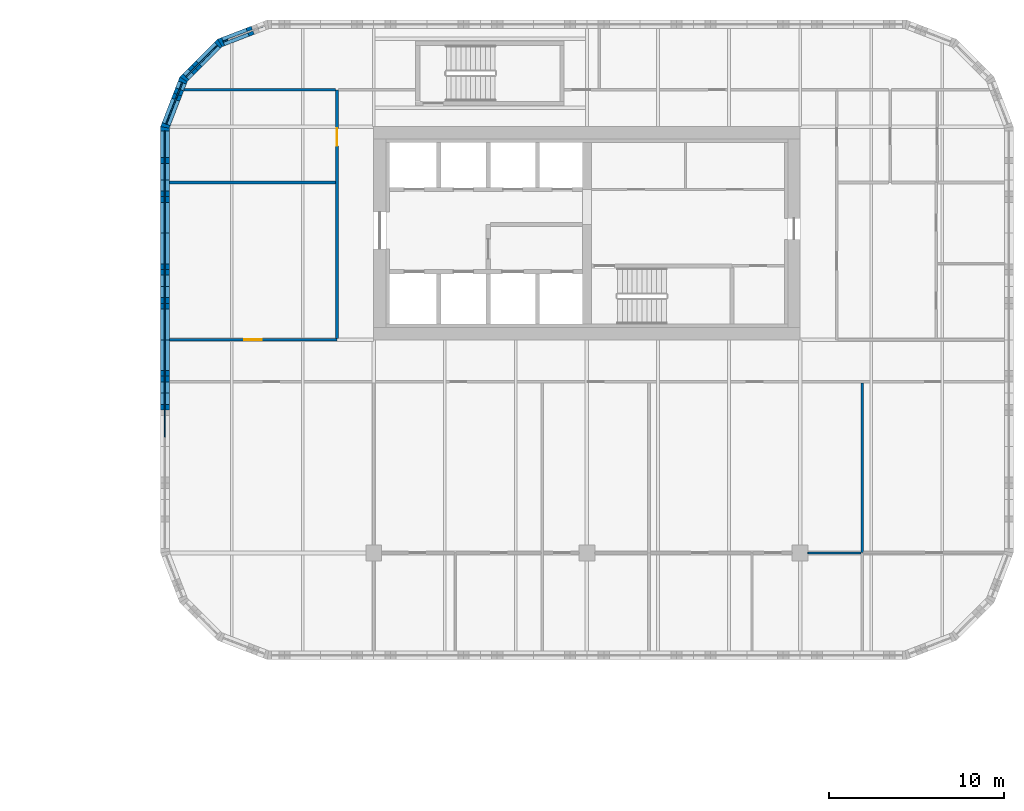
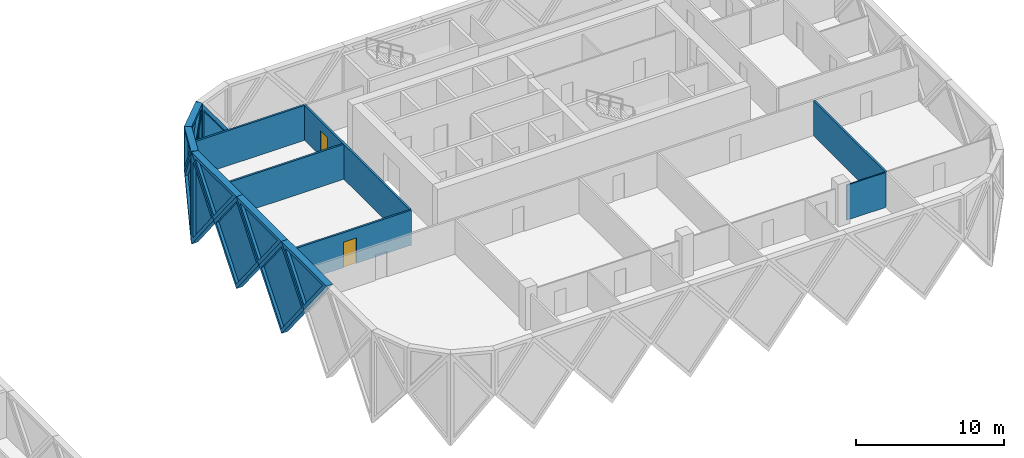
# One storey, part 16 of 24: 17 walls, 11 plates, 2 doors, 13 openings.
"""IFC4 building model written with IfcOpenShell, lengths in metres."""

import ifcopenshell
import ifcopenshell.guid

model = None  # the IFC model being written
_history = None  # IfcOwnerHistory: only IFC2X3 demands one
_inside = {}  # id of a spatial element -> (the spatial element, [elements in it])
_under = {}  # id of a project, library or spatial element -> (it, [spatial elements below it])
_declared = {}  # id of a project -> (the project, [libraries it declares])
_typed = {}  # id of a type object -> (the type object, [elements of that type])
_made_of = {}  # id of a material, layer set ... -> (it, [elements and type objects made of it])


def new_model(schema):
    """Start an empty IFC model of exactly this schema.

    Asked for "IFC4X3", IfcOpenShell would pick the latest addendum, in which some entities
    have other attributes; the version numbers below select the first issue.
    IFC2X3 requires an IfcOwnerHistory on every rooted entity: one is made here for all.
    """
    global model, _history
    if schema == "IFC4X3":
        model = ifcopenshell.file(schema_version=(4, 3, 0, 0))
    else:
        model = ifcopenshell.file(schema=schema)
    _inside.clear()
    _under.clear()
    _declared.clear()
    _typed.clear()
    _made_of.clear()
    _history = None
    if model.schema == "IFC2X3":
        org = make("IfcOrganization", Name="unknown")
        user = make(
            "IfcPersonAndOrganization",
            ThePerson=make("IfcPerson", FamilyName="unknown"),
            TheOrganization=org,
        )
        app = make(
            "IfcApplication",
            ApplicationDeveloper=org,
            Version="unknown",
            ApplicationFullName="unknown",
            ApplicationIdentifier="unknown",
        )
        _history = make(
            "IfcOwnerHistory",
            OwningUser=user,
            OwningApplication=app,
            ChangeAction="ADDED",
            CreationDate=0,
        )
    return model


def make(cls, **values):
    """One entity of the class cls with the attributes given. An attribute that is None is left unset."""
    return model.create_entity(
        cls, **{name: value for name, value in values.items() if value is not None}
    )


def rooted(cls, **values):
    """An entity with a GlobalId (a new one), such as an element, a storey or a relation."""
    return make(cls, GlobalId=ifcopenshell.guid.new(), OwnerHistory=_history, **values)


def si_unit(unit_type, name, prefix=None):
    """IfcSIUnit, for example si_unit("LENGTHUNIT", "METRE", prefix="MILLI")."""
    return make("IfcSIUnit", UnitType=unit_type, Prefix=prefix, Name=name)


def assignment(units):
    """IfcUnitAssignment: the units of a project."""
    return None if units is None else make("IfcUnitAssignment", Units=units)


def point(xyz):
    """IfcCartesianPoint."""
    return None if xyz is None else make("IfcCartesianPoint", Coordinates=xyz)


def direction(xyz):
    """IfcDirection."""
    return None if xyz is None else make("IfcDirection", DirectionRatios=xyz)


def frame(location, z_axis=None, x_axis=None):
    """IfcAxis2Placement3D, a coordinate frame: its origin and axes. An axis left out is left unset."""
    return make(
        "IfcAxis2Placement3D",
        Location=point(location),
        Axis=direction(z_axis),
        RefDirection=direction(x_axis),
    )


def frame_2d(location, x_axis=None):
    """IfcAxis2Placement2D, a coordinate frame in the plane: its origin and x axis."""
    return make(
        "IfcAxis2Placement2D", Location=point(location), RefDirection=direction(x_axis)
    )


def origin():
    """The frame at (0, 0, 0) with its axes left unset."""
    return frame((0.0, 0.0, 0.0))


def place(relative_to, where):
    """IfcLocalPlacement: puts the frame where relative to a parent placement (None: the world)."""
    return make(
        "IfcLocalPlacement", PlacementRelTo=relative_to, RelativePlacement=where
    )


def context(
    kind, dimensions, precision=None, world=None, true_north=None, identifier=None
):
    """IfcGeometricRepresentationContext, for example the 3D "Model" context."""
    return make(
        "IfcGeometricRepresentationContext",
        ContextIdentifier=identifier,
        ContextType=kind,
        CoordinateSpaceDimension=dimensions,
        Precision=precision,
        WorldCoordinateSystem=world,
        TrueNorth=true_north,
    )


def subcontext(parent, identifier, kind, view, scale=None):
    """IfcGeometricRepresentationSubContext, for example "Body" below "Model"."""
    return make(
        "IfcGeometricRepresentationSubContext",
        ContextIdentifier=identifier,
        ContextType=kind,
        ParentContext=parent,
        TargetScale=scale,
        TargetView=view,
    )


def project(units=None, contexts=None):
    """IfcProject with its units and contexts."""
    return rooted(
        "IfcProject",
        Name="project",
        RepresentationContexts=contexts,
        UnitsInContext=assignment(units),
    )


def spatial(cls, under=None, at=None, **own):
    """A site, building, storey or space (cls), placed at a placement, below another one or the project."""
    s = rooted(cls, ObjectPlacement=at, **own)
    if under is not None:
        _under.setdefault(under.id(), (under, []))[1].append(s)
    return s


def polyline(points):
    """IfcPolyline through the points."""
    return make("IfcPolyline", Points=[point(p) for p in points])


def profile(cls, at=None, kind="AREA", **sizes):
    """A parametric profile (cls). Its sizes go by their IFC names, for example OverallWidth=200.0."""
    return make(cls, ProfileType=kind, Position=at, **sizes)


def rectangle(**sizes):
    """IfcRectangleProfileDef."""
    return profile("IfcRectangleProfileDef", **sizes)


def outline(outer, holes=None, kind="AREA"):
    """IfcArbitraryClosedProfileDef: a profile drawn as a closed curve; with holes, ...WithVoids."""
    if holes is None:
        return make("IfcArbitraryClosedProfileDef", ProfileType=kind, OuterCurve=outer)
    return make(
        "IfcArbitraryProfileDefWithVoids",
        ProfileType=kind,
        OuterCurve=outer,
        InnerCurves=holes,
    )


def extrude(swept, where, along, depth):
    """IfcExtrudedAreaSolid: the profile swept, set in the frame where, extruded along a direction by depth."""
    return make(
        "IfcExtrudedAreaSolid",
        SweptArea=swept,
        Position=where,
        ExtrudedDirection=direction(along),
        Depth=depth,
    )


def faces_of(points, faces, orient=None, outer=None):
    """IfcFace entities. A face is a list of loops; a loop is a list of indices into points, from 0.

    orient and outer hold one flag for each loop. By default every Orientation is true, the
    first loop of a face is its IfcFaceOuterBound and the others are IfcFaceBound.
    """
    made = []
    for i, loops in enumerate(faces):
        bounds = []
        for j, loop in enumerate(loops):
            is_outer = j == 0 if outer is None else outer[i][j]
            bounds.append(
                make(
                    "IfcFaceOuterBound" if is_outer else "IfcFaceBound",
                    Bound=make("IfcPolyLoop", Polygon=[points[k] for k in loop]),
                    Orientation=True if orient is None else orient[i][j],
                )
            )
        made.append(make("IfcFace", Bounds=bounds))
    return made


def faceted_brep(points, faces, orient=None, outer=None, voids=None):
    """IfcFacetedBrep: a solid bounded by flat faces; with voids (closed shells), ...WithVoids."""
    shared = [point(p) for p in points]
    hull = make("IfcClosedShell", CfsFaces=faces_of(shared, faces, orient, outer))
    if voids is None:
        return make("IfcFacetedBrep", Outer=hull)
    return make(
        "IfcFacetedBrepWithVoids",
        Outer=hull,
        Voids=[
            make(cls, CfsFaces=faces_of(shared, fs, o, b)) for cls, fs, o, b in voids
        ],
    )


def shape(context_of_items, identifier, shape_type, items):
    """IfcShapeRepresentation: the items that make up one representation, for example the "Body"."""
    return make(
        "IfcShapeRepresentation",
        ContextOfItems=context_of_items,
        RepresentationIdentifier=identifier,
        RepresentationType=shape_type,
        Items=items,
    )


def source(mapping_origin, context_of_items, identifier, shape_type, items):
    """IfcRepresentationMap: a shape defined once, which mapped items show again and again."""
    return make(
        "IfcRepresentationMap",
        MappingOrigin=mapping_origin,
        MappedRepresentation=shape(context_of_items, identifier, shape_type, items),
    )


def transform(
    local_origin,
    x_axis=None,
    y_axis=None,
    z_axis=None,
    scale=None,
    scale2=None,
    scale3=None,
    uniform=True,
):
    """IfcCartesianTransformationOperator3D, or its non-uniform kind. x_axis, y_axis, z_axis: its Axis1, 2, 3."""
    if uniform:
        return make(
            "IfcCartesianTransformationOperator3D",
            Axis1=direction(x_axis),
            Axis2=direction(y_axis),
            LocalOrigin=point(local_origin),
            Scale=scale,
            Axis3=direction(z_axis),
        )
    return make(
        "IfcCartesianTransformationOperator3DnonUniform",
        Axis1=direction(x_axis),
        Axis2=direction(y_axis),
        LocalOrigin=point(local_origin),
        Scale=scale,
        Axis3=direction(z_axis),
        Scale2=scale2,
        Scale3=scale3,
    )


def mapped(mapping_source, mapping_target):
    """IfcMappedItem: shows the shape of a source again, moved by a transform."""
    return make(
        "IfcMappedItem", MappingSource=mapping_source, MappingTarget=mapping_target
    )


def material(Name=None, Category=None):
    """IfcMaterial."""
    return make("IfcMaterial", Name=Name, Category=Category)


def layer(
    of_material, thickness, ventilated=None, Name=None, Category=None, Priority=None
):
    """IfcMaterialLayer: one layer of a wall or slab, of a material (None: an air gap)."""
    return make(
        "IfcMaterialLayer",
        Material=of_material,
        LayerThickness=thickness,
        IsVentilated=ventilated,
        Name=Name,
        Category=Category,
        Priority=Priority,
    )


def layer_set(layers, Name=None):
    """IfcMaterialLayerSet."""
    return make("IfcMaterialLayerSet", MaterialLayers=layers, LayerSetName=Name)


def made_of(thing, what):
    """Note that an element or type object is made of a material, layer set ...; save() writes the relation."""
    if what is not None:
        _made_of.setdefault(what.id(), (what, []))[1].append(thing)
    return thing


def type_object(cls, material=None, **own):
    """A type object (cls), such as IfcWallType, which elements share."""
    return made_of(rooted(cls, **own), material)


def element(
    cls,
    number,
    at=None,
    inside=None,
    cuts=None,
    type_object=None,
    material=None,
    context=None,
    identifier="Body",
    shape_type=None,
    held_by="IfcProductDefinitionShape",
    body=None,
    shapes=None,
    **own,
):
    """One element of the class cls, such as IfcWall. Its Tag is "e" and its number.

    at: its placement. inside: the storey or other place that contains it. cuts: it is an
    opening in that element (IfcRelVoidsElement). A single representation is given by context,
    identifier, shape_type and body (its items); several are given by shapes. held_by: the class
    of the entity that holds the representations. save() writes the other relations.
    """
    e = rooted(cls, Tag="e%d" % number, ObjectPlacement=at, **own)
    if body is not None:
        shapes = [shape(context, identifier, shape_type, body)]
    if shapes is not None:
        e.Representation = make(held_by, Representations=shapes)
    if inside is not None:
        _inside.setdefault(inside.id(), (inside, []))[1].append(e)
    if cuts is not None:
        rooted(
            "IfcRelVoidsElement", RelatingBuildingElement=cuts, RelatedOpeningElement=e
        )
    if type_object is not None:
        _typed.setdefault(type_object.id(), (type_object, []))[1].append(e)
    return made_of(e, material)


def fill(opening, filler):
    """IfcRelFillsElement: the door or window that sits in an opening."""
    return rooted(
        "IfcRelFillsElement",
        RelatingOpeningElement=opening,
        RelatedBuildingElement=filler,
    )


def aggregate(whole, parts):
    """IfcRelAggregates: a whole, such as a stair, and the parts it consists of."""
    return rooted("IfcRelAggregates", RelatingObject=whole, RelatedObjects=parts)


def save(model, path):
    """Write the relations noted so far, then the file.

    IfcRelAggregates (storeys below a building ...), IfcRelContainedInSpatialStructure (elements
    in a storey), IfcRelDefinesByType, IfcRelAssociatesMaterial and IfcRelDeclares: one each for
    every whole, place, type object, material and project.
    """
    for whole, parts in _under.values():
        aggregate(whole, parts)
    for where, things in _inside.values():
        rooted(
            "IfcRelContainedInSpatialStructure",
            RelatedElements=things,
            RelatingStructure=where,
        )
    for kind, things in _typed.values():
        rooted("IfcRelDefinesByType", RelatedObjects=things, RelatingType=kind)
    for what, things in _made_of.values():
        rooted("IfcRelAssociatesMaterial", RelatedObjects=things, RelatingMaterial=what)
    for by, libraries in _declared.values():
        rooted("IfcRelDeclares", RelatingContext=by, RelatedDefinitions=libraries)
    model.write(path)


model = new_model("IFC4")

# Units and contexts
model_context = context("Model", 3, precision=1e-05, world=origin(), true_north=direction((0.0, 1.0)))
body_context = subcontext(model_context, "Body", "Model", "MODEL_VIEW")
ifc_project = project(units=[si_unit("LENGTHUNIT", "METRE"), si_unit("AREAUNIT", "SQUARE_METRE"), si_unit("VOLUMEUNIT", "CUBIC_METRE"), si_unit("PLANEANGLEUNIT", "RADIAN"), si_unit("MASSUNIT", "GRAM", prefix="KILO")], contexts=[model_context])

# Site, building, storey
site_placement = place(None, origin())
site = spatial("IfcSite", under=ifc_project, at=site_placement, CompositionType="ELEMENT")
building_placement = place(site_placement, origin())
building = spatial("IfcBuilding", under=site, at=building_placement, Name="Tessera Gate Towers", CompositionType="ELEMENT")
storey_placement = place(building_placement, frame((0.0, 0.0, 60.0)))
storey = spatial("IfcBuildingStorey", under=building, at=storey_placement, Name="L14", CompositionType="ELEMENT", Elevation=60.0)

# Wall, opening, door
ifc_material_1 = material(Name="Gypsum board on steel studs, mineral wool", Category="steel")
ifc_layer_1 = layer(ifc_material_1, 0.14990234375)
ifc_layer_set_1 = layer_set([ifc_layer_1], Name="CORRIDOR WALL 150")
wall_type_1 = type_object("IfcWallType", Name="CORRIDOR WALL 150", PredefinedType="PARTITIONING", material=ifc_layer_set_1)
wall_1_placement = place(storey_placement, frame((85.89990234375, 36.60009765625, 0.0), z_axis=(0.0, 0.0, 1.0), x_axis=(1.0, 0.0, 0.0)))
wall_1 = element("IfcWall", 1, at=wall_1_placement, inside=storey, type_object=wall_type_1, Name="T2-L14-PW-018", PredefinedType="PARTITIONING", context=body_context, shape_type="SweptSolid", body=[
    extrude(rectangle(XDim=9.60009765625, YDim=0.14990234375, at=frame_2d((4.800048828125, 0.0))), origin(), (0.0, 0.0, 1.0), 2.887939453125),
])
shared_shape_1 = source(origin(), body_context, "Body", "SweptSolid", [
    extrude(rectangle(XDim=1.0, YDim=2.10009765625, at=frame_2d((0.5, 1.050048828125))), frame((0.0, 0.0849609375, 0.0), z_axis=(0.0, -1.0, 0.0), x_axis=(1.0, 0.0, 0.0)), (0.0, 0.0, 1.0), 0.169921875),
])
opening_1_placement = place(wall_1_placement, frame((4.300048828125, 0.0, 0.0)))
opening_1 = element("IfcOpeningElement", 2, at=opening_1_placement, cuts=wall_1, Name="Opening D2100FD60-B06-05", PredefinedType="OPENING", context=body_context, shape_type="MappedRepresentation", body=[
    mapped(shared_shape_1, transform((0.0, 0.0, 0.0), scale=1.0)),
])
ifc_material_2 = material(Name="Timber door leaf in steel frame", Category="steel")
door_type = type_object("IfcDoorType", Name="TENANCY ENTRANCE DOOR 1000 FD60", OperationType="NOTDEFINED", PredefinedType="DOOR", material=ifc_material_2)
shared_shape_2 = source(origin(), body_context, "Body", "SweptSolid", [
    extrude(rectangle(XDim=1.0, YDim=2.10009765625, at=frame_2d((0.5, 1.050048828125))), frame((0.0, 0.02490234375, 0.0), z_axis=(0.0, -1.0, 0.0), x_axis=(1.0, 0.0, 0.0)), (0.0, 0.0, 1.0), 0.050048828125),
])
door_1_placement = place(opening_1_placement, origin())
door_1 = element("IfcDoor", 3, at=door_1_placement, inside=storey, type_object=door_type, Name="T2-L14-PD-021", OperationType="SINGLE_SWING_LEFT", OverallHeight=2.10009765625, OverallWidth=1.0, PredefinedType="DOOR", context=body_context, shape_type="MappedRepresentation", body=[
    mapped(shared_shape_2, transform((0.0, 0.0, 0.0), scale=1.0)),
])
fill(opening_1, door_1)

wall_2_placement = place(storey_placement, frame((95.5, 36.676025390625, 0.0), z_axis=(0.0, 0.0, 1.0), x_axis=(0.0, 1.0, 0.0)))
wall_2 = element("IfcWall", 4, at=wall_2_placement, inside=storey, type_object=wall_type_1, Name="T2-L14-PW-021", PredefinedType="PARTITIONING", context=body_context, shape_type="SweptSolid", body=[
    extrude(rectangle(XDim=14.223876953125, YDim=0.14990234375, at=frame_2d((7.11181640625, 0.0))), origin(), (0.0, 0.0, 1.0), 2.887939453125),
])
opening_2_placement = place(wall_2_placement, frame((11.02490234375, 0.0, 0.0)))
opening_2 = element("IfcOpeningElement", 5, at=opening_2_placement, cuts=wall_2, Name="Opening D2100FD60-B06-02", PredefinedType="OPENING", context=body_context, shape_type="MappedRepresentation", body=[
    mapped(shared_shape_1, transform((0.0, 0.0, 0.0), scale=1.0)),
])
door_2_placement = place(opening_2_placement, origin())
door_2 = element("IfcDoor", 6, at=door_2_placement, inside=storey, type_object=door_type, Name="T2-L14-PD-009", OperationType="SINGLE_SWING_LEFT", OverallHeight=2.10009765625, OverallWidth=1.0, PredefinedType="DOOR", context=body_context, shape_type="MappedRepresentation", body=[
    mapped(shared_shape_2, transform((0.0, 0.0, 0.0), scale=1.0)),
])
fill(opening_2, door_2)

# Walls
ifc_material_3 = material(Name="Glass", Category="glass")
ifc_layer_2 = layer(ifc_material_3, 0.10009765625)
ifc_layer_set_2 = layer_set([ifc_layer_2], Name="GLAZED PARTITION 100")
wall_type_2 = type_object("IfcWallType", Name="GLAZED PARTITION 100", PredefinedType="PARTITIONING", material=ifc_layer_set_2)
wall_3_placement = place(storey_placement, frame((122.450927734375, 24.39990234375, 0.0), z_axis=(0.0, 0.0, 1.0), x_axis=(1.0, 0.0, 0.0)))
element("IfcWall", 7, at=wall_3_placement, inside=storey, type_object=wall_type_2, Name="T2-L14-PW-013", PredefinedType="PARTITIONING", context=body_context, shape_type="SweptSolid", body=[
    extrude(rectangle(XDim=3.023193359375, YDim=0.10009765625, at=frame_2d((1.51171875, 0.0))), origin(), (0.0, 0.0, 1.0), 2.887939453125),
])
ifc_material_4 = material(Name="Gypsum board on steel studs, mineral wool", Category="steel")
ifc_layer_3 = layer(ifc_material_4, 0.14990234375)
ifc_layer_set_3 = layer_set([ifc_layer_3], Name="TENANCY WALL 150")
wall_type_3 = type_object("IfcWallType", Name="TENANCY WALL 150", PredefinedType="PARTITIONING", material=ifc_layer_set_3)
wall_4_placement = place(storey_placement, frame((125.550048828125, 24.4150390625, 0.0), z_axis=(0.0, 0.0, 1.0), x_axis=(0.0, 1.0, 0.0)))
element("IfcWall", 8, at=wall_4_placement, inside=storey, type_object=wall_type_3, Name="T2-L14-PW-014", PredefinedType="PARTITIONING", context=body_context, shape_type="SweptSolid", body=[
    extrude(rectangle(XDim=9.708984375, YDim=0.14990234375, at=frame_2d((4.8544921875, 0.0))), origin(), (0.0, 0.0, 1.0), 2.887939453125),
])
wall_5_placement = place(storey_placement, frame((85.89990234375, 45.60009765625, 0.0), z_axis=(0.0, 0.0, 1.0), x_axis=(1.0, 0.0, 0.0)))
element("IfcWall", 9, at=wall_5_placement, inside=storey, type_object=wall_type_3, Name="T2-L14-PW-024", PredefinedType="PARTITIONING", context=body_context, shape_type="SweptSolid", body=[
    extrude(rectangle(XDim=9.524169921875, YDim=0.14990234375, at=frame_2d((4.76220703125, 0.0))), origin(), (0.0, 0.0, 1.0), 2.887939453125),
])
wall_6_placement = place(storey_placement, frame((86.74609375, 50.89990234375, 0.0), z_axis=(0.0, 0.0, 1.0), x_axis=(1.0, 0.0, 0.0)))
element("IfcWall", 10, at=wall_6_placement, inside=storey, type_object=wall_type_3, Name="T2-L14-PW-030", PredefinedType="PARTITIONING", context=body_context, shape_type="SweptSolid", body=[
    extrude(rectangle(XDim=8.677978515625, YDim=0.14990234375, at=frame_2d((4.3388671875, 0.0))), origin(), (0.0, 0.0, 1.0), 2.887939453125),
])

# Wall, opening, plate
ifc_material_5 = material(Name="Precast concrete C60/75 white", Category="concrete")
ifc_layer_4 = layer(ifc_material_5, 0.5)
ifc_layer_set_4 = layer_set([ifc_layer_4], Name="TS1 tessera")
wall_type_4 = type_object("IfcWallType", Name="TS1 tessera", PredefinedType="SOLIDWALL", material=ifc_layer_set_4)
shared_shape_3 = source(origin(), body_context, "Body", "Brep", [
    faceted_brep([(3.050048828125, -0.25, 0.0), (6.099853515625, -0.25, 3.7998046875), (6.099853515625, -0.25, 3.80029296875), (3.050048828125, -0.25, 7.60009765625), (0.0, -0.25, 3.800048828125), (0.0, 0.25, 3.800048828125), (3.050048828125, 0.25, 7.60009765625), (6.099853515625, 0.25, 3.80029296875), (6.099853515625, 0.25, 3.7998046875), (3.050048828125, 0.25, 0.0)], [[[0, 1, 2, 3, 4]], [[5, 6, 7, 8, 9]], [[9, 8, 1, 0]], [[7, 6, 3, 2]], [[6, 5, 4, 3]], [[5, 9, 0, 4]], [[1, 8, 7, 2]]]),
])
wall_7_placement = place(storey_placement, frame((85.64990234375, 39.64990234375, -3.800048828125), z_axis=(0.0, 0.0, 1.0), x_axis=(0.0, -1.0, 0.0)))
wall_7 = element("IfcWall", 11, at=wall_7_placement, inside=storey, type_object=wall_type_4, Name="Precast tessera T2 TS1-0178", PredefinedType="SOLIDWALL", context=body_context, shape_type="MappedRepresentation", body=[
    mapped(shared_shape_3, transform((0.0, 0.0, 0.0), scale=1.0)),
])
shared_shape_4 = source(origin(), body_context, "Body", "SweptSolid", [
    extrude(outline(polyline([(3.050048828125, 0.3994140625), (5.779541015625, 3.800048828125), (3.050048828125, 7.20068359375), (0.320556640625, 3.800048828125), (3.050048828125, 0.3994140625)])), frame((0.0, 0.260009765625, 0.0), z_axis=(0.0, -1.0, 0.0), x_axis=(1.0, 0.0, 0.0)), (0.0, 0.0, 1.0), 0.52001953125),
])
opening_3_placement = place(wall_7_placement, origin())
opening_3 = element("IfcOpeningElement", 12, at=opening_3_placement, cuts=wall_7, Name="Opening T2-PL2-0334", PredefinedType="OPENING", context=body_context, shape_type="MappedRepresentation", body=[
    mapped(shared_shape_4, transform((0.0, 0.0, 0.0), scale=1.0)),
])
ifc_material_6 = material(Name="Low-e laminated glass", Category="glass")
ifc_layer_5 = layer(ifc_material_6, 0.06005859375)
ifc_layer_set_5 = layer_set([ifc_layer_5], Name="PL2 rhombic pane")
plate_type_1 = type_object("IfcPlateType", Name="PL2 rhombic pane", PredefinedType="SHEET", material=ifc_layer_set_5)
shared_shape_5 = source(origin(), body_context, "Body", "SweptSolid", [
    extrude(outline(polyline([(3.050048828125, 0.3994140625), (5.779541015625, 3.800048828125), (3.050048828125, 7.20068359375), (0.320556640625, 3.800048828125), (3.050048828125, 0.3994140625)])), frame((0.0, 0.030029296875, 0.0), z_axis=(0.0, -1.0, 0.0), x_axis=(1.0, 0.0, 0.0)), (0.0, 0.0, 1.0), 0.06005859375),
])
plate_1_placement = place(opening_3_placement, origin())
plate_1 = element("IfcPlate", 13, at=plate_1_placement, inside=storey, type_object=plate_type_1, Name="Glass pane T2 PL2-0334", PredefinedType="SHEET", context=body_context, shape_type="MappedRepresentation", body=[
    mapped(shared_shape_5, transform((0.0, 0.0, 0.0), scale=1.0)),
])
fill(opening_3, plate_1)

shared_shape_6 = source(origin(), body_context, "Body", "SweptSolid", [
    extrude(outline(polyline([(3.050048828125, 0.0), (6.10009765625, 3.800048828125), (3.050048828125, 7.60009765625), (0.0, 3.800048828125), (3.050048828125, 0.0)])), frame((0.0, 0.25, 0.0), z_axis=(0.0, -1.0, 0.0), x_axis=(1.0, 0.0, 0.0)), (0.0, 0.0, 1.0), 0.5),
])
wall_8_placement = place(storey_placement, frame((85.64990234375, 45.75, -3.800048828125), z_axis=(0.0, 0.0, 1.0), x_axis=(0.0, -1.0, 0.0)))
wall_8 = element("IfcWall", 14, at=wall_8_placement, inside=storey, type_object=wall_type_4, Name="Precast tessera T2 TS1-0177", PredefinedType="SOLIDWALL", context=body_context, shape_type="MappedRepresentation", body=[
    mapped(shared_shape_6, transform((0.0, 0.0, 0.0), scale=1.0)),
])
opening_4_placement = place(wall_8_placement, origin())
opening_4 = element("IfcOpeningElement", 15, at=opening_4_placement, cuts=wall_8, Name="Opening T2-PL2-0333", PredefinedType="OPENING", context=body_context, shape_type="MappedRepresentation", body=[
    mapped(shared_shape_4, transform((0.0, 0.0, 0.0), scale=1.0)),
])
plate_2_placement = place(opening_4_placement, origin())
plate_2 = element("IfcPlate", 16, at=plate_2_placement, inside=storey, type_object=plate_type_1, Name="Glass pane T2 PL2-0333", PredefinedType="SHEET", context=body_context, shape_type="MappedRepresentation", body=[
    mapped(shared_shape_5, transform((0.0, 0.0, 0.0), scale=1.0)),
])
fill(opening_4, plate_2)

ifc_material_7 = material(Name="Precast concrete C60/75 white", Category="concrete")
ifc_layer_6 = layer(ifc_material_7, 0.5)
ifc_layer_set_6 = layer_set([ifc_layer_6], Name="TS3 corner tessera")
wall_type_5 = type_object("IfcWallType", Name="TS3 corner tessera", PredefinedType="SOLIDWALL", material=ifc_layer_set_6)
shared_shape_7 = source(origin(), body_context, "Body", "Brep", [
    faceted_brep([(2.950439453125, -0.25, 0.0), (3.00341796875, -0.25, 0.068359375), (3.00341796875, -0.25, 7.53173828125), (2.950439453125, -0.25, 7.60009765625), (0.0, -0.25, 3.800048828125), (0.046630859375, 0.25, 3.860107421875), (2.897705078125, 0.25, 7.531982421875), (2.897705078125, 0.25, 0.068115234375), (0.046630859375, 0.25, 3.739990234375), (2.950439453125, 0.00048828125, 0.0), (2.950439453125, 0.00048828125, 7.60009765625), (0.0, 0.0, 3.800048828125)], [[[0, 1, 2, 3, 4]], [[5, 6, 7, 8]], [[1, 0, 9]], [[10, 3, 2]], [[6, 5, 11, 4, 3, 10]], [[8, 7, 9, 0, 4, 11]], [[8, 11, 5]], [[1, 9, 7, 6, 10, 2]]]),
])
wall_9_placement = place(storey_placement, frame((91.546630859375, 54.64990234375, -3.800048828125), z_axis=(0.0, 0.0, 1.0), x_axis=(-0.933007896601, -0.359855894603, 0.0)))
wall_9 = element("IfcWall", 17, at=wall_9_placement, inside=storey, type_object=wall_type_5, Name="Precast corner tessera T2 TS3-0201", PredefinedType="SOLIDWALL", context=body_context, shape_type="MappedRepresentation", body=[
    mapped(shared_shape_7, transform((0.0, 0.0, 0.0), scale=1.0)),
])
shared_shape_8 = source(origin(), body_context, "Body", "SweptSolid", [
    extrude(outline(polyline([(2.75048828125, 6.934814453125), (0.31640625, 3.800048828125), (2.75048828125, 0.665283203125), (2.75048828125, 6.934814453125)])), frame((0.0, 0.260009765625, 0.0), z_axis=(0.0, -1.0, 0.0), x_axis=(1.0, 0.0, 0.0)), (0.0, 0.0, 1.0), 0.52001953125),
])
opening_5_placement = place(wall_9_placement, origin())
opening_5 = element("IfcOpeningElement", 18, at=opening_5_placement, cuts=wall_9, Name="Opening T2-PL2-0329", PredefinedType="OPENING", context=body_context, shape_type="MappedRepresentation", body=[
    mapped(shared_shape_8, transform((0.0, 0.0, 0.0), scale=1.0)),
])
shared_shape_9 = source(origin(), body_context, "Body", "SweptSolid", [
    extrude(outline(polyline([(2.75048828125, 6.934814453125), (0.31640625, 3.800048828125), (2.75048828125, 0.665283203125), (2.75048828125, 6.934814453125)])), frame((0.0, 0.030029296875, 0.0), z_axis=(0.0, -1.0, 0.0), x_axis=(1.0, 0.0, 0.0)), (0.0, 0.0, 1.0), 0.06005859375),
])
plate_3_placement = place(opening_5_placement, origin())
plate_3 = element("IfcPlate", 19, at=plate_3_placement, inside=storey, type_object=plate_type_1, Name="Glass pane T2 PL2-0329", PredefinedType="SHEET", context=body_context, shape_type="MappedRepresentation", body=[
    mapped(shared_shape_9, transform((0.0, 0.0, 0.0), scale=1.0)),
])
fill(opening_5, plate_3)

shared_shape_10 = source(origin(), body_context, "Body", "Brep", [
    faceted_brep([(0.052978515625, -0.25, 0.0), (2.9970703125, -0.25, 3.800048828125), (0.052978515625, -0.25, 7.60009765625), (0.0, -0.25, 7.531982421875), (0.0, -0.25, 0.068115234375), (0.10595703125, 0.25, 7.53173828125), (2.944091796875, 0.25, 3.8681640625), (2.944091796875, 0.25, 3.73193359375), (0.10595703125, 0.25, 0.068359375), (2.9970703125, 0.000244140625, 3.800048828125), (0.052978515625, 0.0, 0.0), (0.052978515625, 0.0, 7.60009765625)], [[[0, 1, 2, 3, 4]], [[5, 6, 7, 8]], [[8, 7, 9, 1, 0, 10]], [[6, 5, 11, 2, 1, 9]], [[3, 2, 11]], [[10, 0, 4]], [[8, 10, 4, 3, 11, 5]], [[9, 7, 6]]]),
])
wall_10_placement = place(storey_placement, frame((88.831298828125, 53.62548828125, -3.800048828125), z_axis=(0.0, 0.0, 1.0), x_axis=(-0.707147509625, -0.707066050402, 0.0)))
wall_10 = element("IfcWall", 20, at=wall_10_placement, inside=storey, type_object=wall_type_5, Name="Precast corner tessera T2 TS3-0202", PredefinedType="SOLIDWALL", context=body_context, shape_type="MappedRepresentation", body=[
    mapped(shared_shape_10, transform((0.0, 0.0, 0.0), scale=1.0)),
])
shared_shape_11 = source(origin(), body_context, "Body", "SweptSolid", [
    extrude(outline(polyline([(0.2529296875, 0.666259765625), (2.680908203125, 3.800048828125), (0.2529296875, 6.933837890625), (0.2529296875, 0.666259765625)])), frame((0.0, 0.260009765625, 0.0), z_axis=(0.0, -1.0, 0.0), x_axis=(1.0, 0.0, 0.0)), (0.0, 0.0, 1.0), 0.52001953125),
])
opening_6_placement = place(wall_10_placement, origin())
opening_6 = element("IfcOpeningElement", 21, at=opening_6_placement, cuts=wall_10, Name="Opening T2-PL2-0330", PredefinedType="OPENING", context=body_context, shape_type="MappedRepresentation", body=[
    mapped(shared_shape_11, transform((0.0, 0.0, 0.0), scale=1.0)),
])
shared_shape_12 = source(origin(), body_context, "Body", "SweptSolid", [
    extrude(outline(polyline([(0.2529296875, 0.666259765625), (2.680908203125, 3.800048828125), (0.2529296875, 6.933837890625), (0.2529296875, 0.666259765625)])), frame((0.0, 0.030029296875, 0.0), z_axis=(0.0, -1.0, 0.0), x_axis=(1.0, 0.0, 0.0)), (0.0, 0.0, 1.0), 0.06005859375),
])
plate_4_placement = place(opening_6_placement, origin())
plate_4 = element("IfcPlate", 22, at=plate_4_placement, inside=storey, type_object=plate_type_1, Name="Glass pane T2 PL2-0330", PredefinedType="SHEET", context=body_context, shape_type="MappedRepresentation", body=[
    mapped(shared_shape_12, transform((0.0, 0.0, 0.0), scale=1.0)),
])
fill(opening_6, plate_4)

shared_shape_13 = source(origin(), body_context, "Body", "Brep", [
    faceted_brep([(0.046630859375, -0.25, 0.0), (3.050048828125, -0.25, 3.800048828125), (0.046630859375, -0.25, 7.60009765625), (0.0, -0.25, 7.5400390625), (0.0, -0.25, 0.06005859375), (0.09326171875, 0.25, 7.541259765625), (3.050048828125, 0.25, 3.800048828125), (0.09326171875, 0.25, 0.058837890625), (0.046630859375, 0.0, 0.0), (0.046630859375, 0.0, 7.60009765625)], [[[0, 1, 2, 3, 4]], [[5, 6, 7]], [[7, 6, 1, 0, 8]], [[6, 5, 9, 2, 1]], [[3, 2, 9]], [[8, 0, 4]], [[7, 8, 4, 3, 9, 5]]]),
])
wall_11_placement = place(storey_placement, frame((85.64990234375, 48.800048828125, -3.800048828125), z_axis=(0.0, 0.0, 1.0), x_axis=(0.0, -1.0, 0.0)))
wall_11 = element("IfcWall", 23, at=wall_11_placement, inside=storey, type_object=wall_type_5, Name="Precast corner tessera T2 TS3-0204", PredefinedType="SOLIDWALL", context=body_context, shape_type="MappedRepresentation", body=[
    mapped(shared_shape_13, transform((0.0, 0.0, 0.0), scale=1.0)),
])
shared_shape_14 = source(origin(), body_context, "Body", "SweptSolid", [
    extrude(outline(polyline([(0.24658203125, 0.65625), (2.7314453125, 3.800048828125), (0.24658203125, 6.94384765625), (0.24658203125, 0.65625)])), frame((0.0, 0.260009765625, 0.0), z_axis=(0.0, -1.0, 0.0), x_axis=(1.0, 0.0, 0.0)), (0.0, 0.0, 1.0), 0.52001953125),
])
opening_7_placement = place(wall_11_placement, origin())
opening_7 = element("IfcOpeningElement", 24, at=opening_7_placement, cuts=wall_11, Name="Opening T2-PL2-0332", PredefinedType="OPENING", context=body_context, shape_type="MappedRepresentation", body=[
    mapped(shared_shape_14, transform((0.0, 0.0, 0.0), scale=1.0)),
])
shared_shape_15 = source(origin(), body_context, "Body", "SweptSolid", [
    extrude(outline(polyline([(0.24658203125, 0.65625), (2.7314453125, 3.800048828125), (0.24658203125, 6.94384765625), (0.24658203125, 0.65625)])), frame((0.0, 0.030029296875, 0.0), z_axis=(0.0, -1.0, 0.0), x_axis=(1.0, 0.0, 0.0)), (0.0, 0.0, 1.0), 0.06005859375),
])
plate_5_placement = place(opening_7_placement, origin())
plate_5 = element("IfcPlate", 25, at=plate_5_placement, inside=storey, type_object=plate_type_1, Name="Glass pane T2 PL2-0332", PredefinedType="SHEET", context=body_context, shape_type="MappedRepresentation", body=[
    mapped(shared_shape_15, transform((0.0, 0.0, 0.0), scale=1.0)),
])
fill(opening_7, plate_5)

shared_shape_16 = source(origin(), body_context, "Body", "Brep", [
    faceted_brep([(2.950439453125, -0.25, 0.0), (2.9970703125, -0.25, 0.05908203125), (2.9970703125, -0.25, 7.541015625), (2.950439453125, -0.25, 7.60009765625), (0.0, -0.25, 3.800048828125), (0.052978515625, 0.25, 3.8681640625), (2.904052734375, 0.25, 7.540283203125), (2.904052734375, 0.25, 0.059814453125), (0.052978515625, 0.25, 3.73193359375), (2.950439453125, 0.00048828125, 0.0), (2.950439453125, 0.00048828125, 7.60009765625), (0.0, 0.0, 3.800048828125)], [[[0, 1, 2, 3, 4]], [[5, 6, 7, 8]], [[1, 0, 9]], [[10, 3, 2]], [[6, 5, 11, 4, 3, 10]], [[8, 7, 9, 0, 4, 11]], [[8, 11, 5]], [[1, 9, 7, 6, 10, 2]]]),
])
wall_12_placement = place(storey_placement, frame((86.7119140625, 51.50634765625, -3.800048828125), z_axis=(0.0, 0.0, 1.0), x_axis=(-0.359874094142, -0.933000876937, 0.0)))
wall_12 = element("IfcWall", 26, at=wall_12_placement, inside=storey, type_object=wall_type_5, Name="Precast corner tessera T2 TS3-0203", PredefinedType="SOLIDWALL", context=body_context, shape_type="MappedRepresentation", body=[
    mapped(shared_shape_16, transform((0.0, 0.0, 0.0), scale=1.0)),
])
opening_8_placement = place(wall_12_placement, origin())
opening_8 = element("IfcOpeningElement", 27, at=opening_8_placement, cuts=wall_12, Name="Opening T2-PL2-0331", PredefinedType="OPENING", context=body_context, shape_type="MappedRepresentation", body=[
    mapped(shared_shape_8, transform((0.0, 0.0, 0.0), scale=1.0)),
])
plate_6_placement = place(opening_8_placement, origin())
plate_6 = element("IfcPlate", 28, at=plate_6_placement, inside=storey, type_object=plate_type_1, Name="Glass pane T2 PL2-0331", PredefinedType="SHEET", context=body_context, shape_type="MappedRepresentation", body=[
    mapped(shared_shape_9, transform((0.0, 0.0, 0.0), scale=1.0)),
])
fill(opening_8, plate_6)

ifc_material_8 = material(Name="Precast concrete C60/75 white", Category="concrete")
ifc_layer_7 = layer(ifc_material_8, 0.5)
ifc_layer_set_7 = layer_set([ifc_layer_7], Name="TS2 half tessera")
wall_type_6 = type_object("IfcWallType", Name="TS2 half tessera", PredefinedType="SOLIDWALL", material=ifc_layer_set_7)
shared_shape_17 = source(origin(), body_context, "Body", "Brep", [
    faceted_brep([(3.050048828125, -0.25, 0.0), (6.099853515625, -0.25, 3.7998046875), (6.099853515625, -0.25, 3.800048828125), (0.0, -0.25, 3.800048828125), (0.0, 0.25, 3.800048828125), (6.099853515625, 0.25, 3.800048828125), (6.099853515625, 0.25, 3.7998046875), (3.050048828125, 0.25, 0.0)], [[[0, 1, 2, 3]], [[4, 5, 6, 7]], [[7, 6, 1, 0]], [[5, 4, 3, 2]], [[4, 7, 0, 3]], [[1, 6, 5, 2]]]),
])
wall_13_placement = place(storey_placement, frame((85.64990234375, 42.699951171875, 0.0), z_axis=(0.0, 0.0, 1.0), x_axis=(0.0, -1.0, 0.0)))
wall_13 = element("IfcWall", 29, at=wall_13_placement, inside=storey, type_object=wall_type_6, Name="Precast half tessera T2 TS2-0069", PredefinedType="SOLIDWALL", context=body_context, shape_type="MappedRepresentation", body=[
    mapped(shared_shape_17, transform((0.0, 0.0, 0.0), scale=1.0)),
])
shared_shape_18 = source(origin(), body_context, "Body", "SweptSolid", [
    extrude(outline(polyline([(3.050048828125, 0.3994140625), (5.578857421875, 3.550048828125), (0.521240234375, 3.550048828125), (3.050048828125, 0.3994140625)])), frame((0.0, 0.260009765625, 0.0), z_axis=(0.0, -1.0, 0.0), x_axis=(1.0, 0.0, 0.0)), (0.0, 0.0, 1.0), 0.52001953125),
])
opening_9_placement = place(wall_13_placement, origin())
opening_9 = element("IfcOpeningElement", 30, at=opening_9_placement, cuts=wall_13, Name="Opening T2-PL1-0131", PredefinedType="OPENING", context=body_context, shape_type="MappedRepresentation", body=[
    mapped(shared_shape_18, transform((0.0, 0.0, 0.0), scale=1.0)),
])
ifc_material_9 = material(Name="Low-e laminated glass", Category="glass")
ifc_layer_8 = layer(ifc_material_9, 0.06005859375)
ifc_layer_set_8 = layer_set([ifc_layer_8], Name="PL1 triangular pane")
plate_type_2 = type_object("IfcPlateType", Name="PL1 triangular pane", PredefinedType="SHEET", material=ifc_layer_set_8)
shared_shape_19 = source(origin(), body_context, "Body", "SweptSolid", [
    extrude(outline(polyline([(3.050048828125, 0.3994140625), (5.578857421875, 3.550048828125), (0.521240234375, 3.550048828125), (3.050048828125, 0.3994140625)])), frame((0.0, 0.030029296875, 0.0), z_axis=(0.0, -1.0, 0.0), x_axis=(1.0, 0.0, 0.0)), (0.0, 0.0, 1.0), 0.06005859375),
])
plate_7_placement = place(opening_9_placement, origin())
plate_7 = element("IfcPlate", 31, at=plate_7_placement, inside=storey, type_object=plate_type_2, Name="Glass pane T2 PL1-0131", PredefinedType="SHEET", context=body_context, shape_type="MappedRepresentation", body=[
    mapped(shared_shape_19, transform((0.0, 0.0, 0.0), scale=1.0)),
])
fill(opening_9, plate_7)

shared_shape_20 = source(origin(), body_context, "Body", "SweptSolid", [
    extrude(outline(polyline([(3.050048828125, 0.0), (6.10009765625, 3.800048828125), (0.0, 3.800048828125), (3.050048828125, 0.0)])), frame((0.0, 0.25, 0.0), z_axis=(0.0, -1.0, 0.0), x_axis=(1.0, 0.0, 0.0)), (0.0, 0.0, 1.0), 0.5),
])
wall_14_placement = place(storey_placement, frame((85.64990234375, 36.60009765625, 0.0), z_axis=(0.0, 0.0, 1.0), x_axis=(0.0, -1.0, 0.0)))
wall_14 = element("IfcWall", 32, at=wall_14_placement, inside=storey, type_object=wall_type_6, Name="Precast half tessera T2 TS2-0070", PredefinedType="SOLIDWALL", context=body_context, shape_type="MappedRepresentation", body=[
    mapped(shared_shape_20, transform((0.0, 0.0, 0.0), scale=1.0)),
])
opening_10_placement = place(wall_14_placement, origin())
opening_10 = element("IfcOpeningElement", 33, at=opening_10_placement, cuts=wall_14, Name="Opening T2-PL1-0132", PredefinedType="OPENING", context=body_context, shape_type="MappedRepresentation", body=[
    mapped(shared_shape_18, transform((0.0, 0.0, 0.0), scale=1.0)),
])
plate_8_placement = place(opening_10_placement, origin())
plate_8 = element("IfcPlate", 34, at=plate_8_placement, inside=storey, type_object=plate_type_2, Name="Glass pane T2 PL1-0132", PredefinedType="SHEET", context=body_context, shape_type="MappedRepresentation", body=[
    mapped(shared_shape_19, transform((0.0, 0.0, 0.0), scale=1.0)),
])
fill(opening_10, plate_8)

shared_shape_21 = source(origin(), body_context, "Body", "Brep", [
    faceted_brep([(2.944091796875, -0.25, 0.0), (2.9970703125, -0.25, 0.068115234375), (2.9970703125, -0.25, 3.800048828125), (0.0, -0.25, 3.800048828125), (0.052978515625, 0.25, 3.800048828125), (2.89111328125, 0.25, 3.800048828125), (2.89111328125, 0.25, 0.068115234375), (0.052978515625, 0.25, 3.731689453125), (2.944091796875, 0.000244140625, 0.0), (0.0, 0.0, 3.800048828125)], [[[0, 1, 2, 3]], [[4, 5, 6, 7]], [[1, 0, 8]], [[5, 4, 9, 3, 2]], [[7, 6, 8, 0, 3, 9]], [[7, 9, 4]], [[1, 8, 6, 5, 2]]]),
])
wall_15_placement = place(storey_placement, frame((88.793701171875, 53.588134765625, 0.0), z_axis=(0.0, 0.0, 1.0), x_axis=(-0.707066050402, -0.707147509625, 0.0)))
wall_15 = element("IfcWall", 35, at=wall_15_placement, inside=storey, type_object=wall_type_5, Name="Precast corner tessera T2 TS3-0221", PredefinedType="SOLIDWALL", context=body_context, shape_type="MappedRepresentation", body=[
    mapped(shared_shape_21, transform((0.0, 0.0, 0.0), scale=1.0)),
])
shared_shape_22 = source(origin(), body_context, "Body", "SweptSolid", [
    extrude(outline(polyline([(2.744140625, 3.550048828125), (0.510009765625, 3.550048828125), (2.744140625, 0.666259765625), (2.744140625, 3.550048828125)])), frame((0.0, 0.260009765625, 0.0), z_axis=(0.0, -1.0, 0.0), x_axis=(1.0, 0.0, 0.0)), (0.0, 0.0, 1.0), 0.52001953125),
])
opening_11_placement = place(wall_15_placement, origin())
opening_11 = element("IfcOpeningElement", 36, at=opening_11_placement, cuts=wall_15, Name="Opening T2-PL1-0128", PredefinedType="OPENING", context=body_context, shape_type="MappedRepresentation", body=[
    mapped(shared_shape_22, transform((0.0, 0.0, 0.0), scale=1.0)),
])
shared_shape_23 = source(origin(), body_context, "Body", "SweptSolid", [
    extrude(outline(polyline([(2.744140625, 3.550048828125), (0.510009765625, 3.550048828125), (2.744140625, 0.666259765625), (2.744140625, 3.550048828125)])), frame((0.0, 0.030029296875, 0.0), z_axis=(0.0, -1.0, 0.0), x_axis=(1.0, 0.0, 0.0)), (0.0, 0.0, 1.0), 0.06005859375),
])
plate_9_placement = place(opening_11_placement, origin())
plate_9 = element("IfcPlate", 37, at=plate_9_placement, inside=storey, type_object=plate_type_2, Name="Glass pane T2 PL1-0128", PredefinedType="SHEET", context=body_context, shape_type="MappedRepresentation", body=[
    mapped(shared_shape_23, transform((0.0, 0.0, 0.0), scale=1.0)),
])
fill(opening_11, plate_9)

shared_shape_24 = source(origin(), body_context, "Body", "Brep", [
    faceted_brep([(3.00341796875, -0.25, 0.0), (6.053466796875, -0.25, 3.800048828125), (0.0, -0.25, 3.800048828125), (0.046630859375, 0.25, 3.800048828125), (6.053466796875, 0.25, 3.800048828125), (3.00341796875, 0.25, 0.0), (0.046630859375, 0.25, 3.7412109375), (0.0, 0.0, 3.800048828125)], [[[0, 1, 2]], [[3, 4, 5, 6]], [[5, 4, 1, 0]], [[4, 3, 7, 2, 1]], [[6, 5, 0, 2, 7]], [[6, 7, 3]]]),
])
wall_16_placement = place(storey_placement, frame((85.64990234375, 48.75341796875, 0.0), z_axis=(0.0, 0.0, 1.0), x_axis=(0.0, -1.0, 0.0)))
wall_16 = element("IfcWall", 38, at=wall_16_placement, inside=storey, type_object=wall_type_6, Name="Precast half tessera T2 TS2-0068", PredefinedType="SOLIDWALL", context=body_context, shape_type="MappedRepresentation", body=[
    mapped(shared_shape_24, transform((0.0, 0.0, 0.0), scale=1.0)),
])
shared_shape_25 = source(origin(), body_context, "Body", "SweptSolid", [
    extrude(outline(polyline([(3.0048828125, 0.4013671875), (5.5322265625, 3.550048828125), (0.516357421875, 3.550048828125), (3.0048828125, 0.4013671875)])), frame((0.0, 0.260009765625, 0.0), z_axis=(0.0, -1.0, 0.0), x_axis=(1.0, 0.0, 0.0)), (0.0, 0.0, 1.0), 0.52001953125),
])
opening_12_placement = place(wall_16_placement, origin())
opening_12 = element("IfcOpeningElement", 39, at=opening_12_placement, cuts=wall_16, Name="Opening T2-PL1-0130", PredefinedType="OPENING", context=body_context, shape_type="MappedRepresentation", body=[
    mapped(shared_shape_25, transform((0.0, 0.0, 0.0), scale=1.0)),
])
shared_shape_26 = source(origin(), body_context, "Body", "SweptSolid", [
    extrude(outline(polyline([(3.0048828125, 0.4013671875), (5.5322265625, 3.550048828125), (0.516357421875, 3.550048828125), (3.0048828125, 0.4013671875)])), frame((0.0, 0.030029296875, 0.0), z_axis=(0.0, -1.0, 0.0), x_axis=(1.0, 0.0, 0.0)), (0.0, 0.0, 1.0), 0.06005859375),
])
plate_10_placement = place(opening_12_placement, origin())
plate_10 = element("IfcPlate", 40, at=plate_10_placement, inside=storey, type_object=plate_type_2, Name="Glass pane T2 PL1-0130", PredefinedType="SHEET", context=body_context, shape_type="MappedRepresentation", body=[
    mapped(shared_shape_26, transform((0.0, 0.0, 0.0), scale=1.0)),
])
fill(opening_12, plate_10)

shared_shape_27 = source(origin(), body_context, "Body", "Brep", [
    faceted_brep([(0.052978515625, -0.25, 0.0), (3.00341796875, -0.25, 3.800048828125), (0.0, -0.25, 3.800048828125), (0.0, -0.25, 0.068359375), (0.10595703125, 0.25, 3.800048828125), (2.95703125, 0.25, 3.800048828125), (2.95703125, 0.25, 3.740234375), (0.10595703125, 0.25, 0.068115234375), (3.00341796875, 0.00048828125, 3.800048828125), (0.052978515625, 0.0, 0.0)], [[[0, 1, 2, 3]], [[4, 5, 6, 7]], [[7, 6, 8, 1, 0, 9]], [[5, 4, 2, 1, 8]], [[9, 0, 3]], [[7, 9, 3, 2, 4]], [[6, 5, 8]]]),
])
wall_17_placement = place(storey_placement, frame((86.73095703125, 51.5556640625, 0.0), z_axis=(0.0, 0.0, 1.0), x_axis=(-0.359855894603, -0.933007896601, 0.0)))
wall_17 = element("IfcWall", 41, at=wall_17_placement, inside=storey, type_object=wall_type_5, Name="Precast corner tessera T2 TS3-0222", PredefinedType="SOLIDWALL", context=body_context, shape_type="MappedRepresentation", body=[
    mapped(shared_shape_27, transform((0.0, 0.0, 0.0), scale=1.0)),
])
shared_shape_28 = source(origin(), body_context, "Body", "SweptSolid", [
    extrude(outline(polyline([(0.2529296875, 0.665283203125), (2.492919921875, 3.550048828125), (0.2529296875, 3.550048828125), (0.2529296875, 0.665283203125)])), frame((0.0, 0.260009765625, 0.0), z_axis=(0.0, -1.0, 0.0), x_axis=(1.0, 0.0, 0.0)), (0.0, 0.0, 1.0), 0.52001953125),
])
opening_13_placement = place(wall_17_placement, origin())
opening_13 = element("IfcOpeningElement", 42, at=opening_13_placement, cuts=wall_17, Name="Opening T2-PL1-0129", PredefinedType="OPENING", context=body_context, shape_type="MappedRepresentation", body=[
    mapped(shared_shape_28, transform((0.0, 0.0, 0.0), scale=1.0)),
])
shared_shape_29 = source(origin(), body_context, "Body", "SweptSolid", [
    extrude(outline(polyline([(0.2529296875, 0.665283203125), (2.492919921875, 3.550048828125), (0.2529296875, 3.550048828125), (0.2529296875, 0.665283203125)])), frame((0.0, 0.030029296875, 0.0), z_axis=(0.0, -1.0, 0.0), x_axis=(1.0, 0.0, 0.0)), (0.0, 0.0, 1.0), 0.06005859375),
])
plate_11_placement = place(opening_13_placement, origin())
plate_11 = element("IfcPlate", 43, at=plate_11_placement, inside=storey, type_object=plate_type_2, Name="Glass pane T2 PL1-0129", PredefinedType="SHEET", context=body_context, shape_type="MappedRepresentation", body=[
    mapped(shared_shape_29, transform((0.0, 0.0, 0.0), scale=1.0)),
])
fill(opening_13, plate_11)

save(model, "model.ifc")
